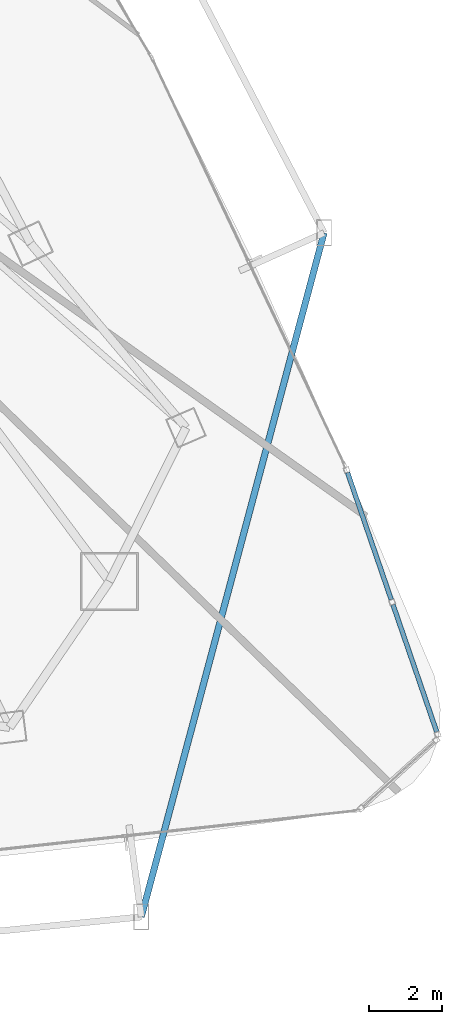
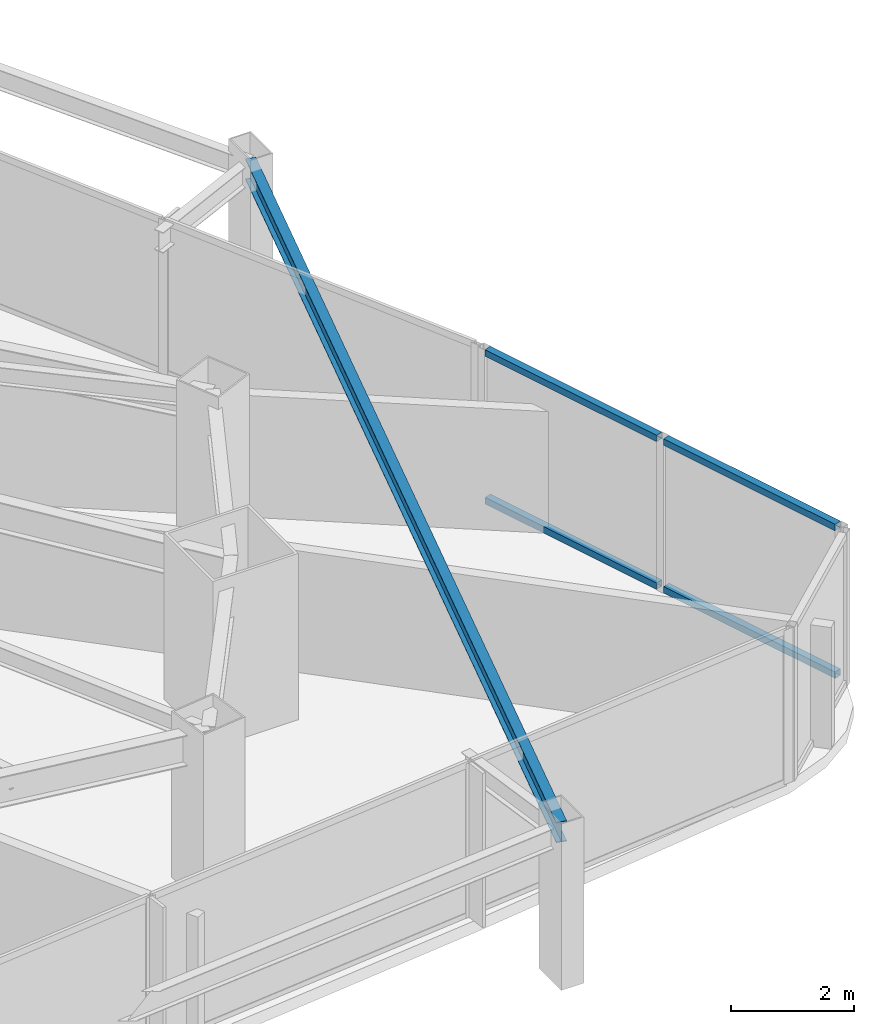
# One storey, part 15 of 34: 4 members, 1 beam, 1 element without a shape of its own.
"""IFC4 building model written with IfcOpenShell, lengths in metres."""

import ifcopenshell
import ifcopenshell.guid

model = None  # the IFC model being written
_history = None  # IfcOwnerHistory: only IFC2X3 demands one
_inside = {}  # id of a spatial element -> (the spatial element, [elements in it])
_under = {}  # id of a project, library or spatial element -> (it, [spatial elements below it])
_declared = {}  # id of a project -> (the project, [libraries it declares])
_typed = {}  # id of a type object -> (the type object, [elements of that type])
_made_of = {}  # id of a material, layer set ... -> (it, [elements and type objects made of it])


def new_model(schema):
    """Start an empty IFC model of exactly this schema.

    Asked for "IFC4X3", IfcOpenShell would pick the latest addendum, in which some entities
    have other attributes; the version numbers below select the first issue.
    IFC2X3 requires an IfcOwnerHistory on every rooted entity: one is made here for all.
    """
    global model, _history
    if schema == "IFC4X3":
        model = ifcopenshell.file(schema_version=(4, 3, 0, 0))
    else:
        model = ifcopenshell.file(schema=schema)
    _inside.clear()
    _under.clear()
    _declared.clear()
    _typed.clear()
    _made_of.clear()
    _history = None
    if model.schema == "IFC2X3":
        org = make("IfcOrganization", Name="unknown")
        user = make(
            "IfcPersonAndOrganization",
            ThePerson=make("IfcPerson", FamilyName="unknown"),
            TheOrganization=org,
        )
        app = make(
            "IfcApplication",
            ApplicationDeveloper=org,
            Version="unknown",
            ApplicationFullName="unknown",
            ApplicationIdentifier="unknown",
        )
        _history = make(
            "IfcOwnerHistory",
            OwningUser=user,
            OwningApplication=app,
            ChangeAction="ADDED",
            CreationDate=0,
        )
    return model


def make(cls, **values):
    """One entity of the class cls with the attributes given. An attribute that is None is left unset."""
    return model.create_entity(
        cls, **{name: value for name, value in values.items() if value is not None}
    )


def rooted(cls, **values):
    """An entity with a GlobalId (a new one), such as an element, a storey or a relation."""
    return make(cls, GlobalId=ifcopenshell.guid.new(), OwnerHistory=_history, **values)


def si_unit(unit_type, name, prefix=None):
    """IfcSIUnit, for example si_unit("LENGTHUNIT", "METRE", prefix="MILLI")."""
    return make("IfcSIUnit", UnitType=unit_type, Prefix=prefix, Name=name)


def assignment(units):
    """IfcUnitAssignment: the units of a project."""
    return None if units is None else make("IfcUnitAssignment", Units=units)


def point(xyz):
    """IfcCartesianPoint."""
    return None if xyz is None else make("IfcCartesianPoint", Coordinates=xyz)


def direction(xyz):
    """IfcDirection."""
    return None if xyz is None else make("IfcDirection", DirectionRatios=xyz)


def frame(location, z_axis=None, x_axis=None):
    """IfcAxis2Placement3D, a coordinate frame: its origin and axes. An axis left out is left unset."""
    return make(
        "IfcAxis2Placement3D",
        Location=point(location),
        Axis=direction(z_axis),
        RefDirection=direction(x_axis),
    )


def frame_2d(location, x_axis=None):
    """IfcAxis2Placement2D, a coordinate frame in the plane: its origin and x axis."""
    return make(
        "IfcAxis2Placement2D", Location=point(location), RefDirection=direction(x_axis)
    )


def origin():
    """The frame at (0, 0, 0) with its axes left unset."""
    return frame((0.0, 0.0, 0.0))


def origin_2d():
    """The frame at (0, 0) in the plane with its x axis left unset."""
    return frame_2d((0.0, 0.0))


def place(relative_to, where):
    """IfcLocalPlacement: puts the frame where relative to a parent placement (None: the world)."""
    return make(
        "IfcLocalPlacement", PlacementRelTo=relative_to, RelativePlacement=where
    )


def context(
    kind, dimensions, precision=None, world=None, true_north=None, identifier=None
):
    """IfcGeometricRepresentationContext, for example the 3D "Model" context."""
    return make(
        "IfcGeometricRepresentationContext",
        ContextIdentifier=identifier,
        ContextType=kind,
        CoordinateSpaceDimension=dimensions,
        Precision=precision,
        WorldCoordinateSystem=world,
        TrueNorth=true_north,
    )


def subcontext(parent, identifier, kind, view, scale=None):
    """IfcGeometricRepresentationSubContext, for example "Body" below "Model"."""
    return make(
        "IfcGeometricRepresentationSubContext",
        ContextIdentifier=identifier,
        ContextType=kind,
        ParentContext=parent,
        TargetScale=scale,
        TargetView=view,
    )


def project(units=None, contexts=None):
    """IfcProject with its units and contexts."""
    return rooted(
        "IfcProject",
        Name="project",
        RepresentationContexts=contexts,
        UnitsInContext=assignment(units),
    )


def spatial(cls, under=None, at=None, **own):
    """A site, building, storey or space (cls), placed at a placement, below another one or the project."""
    s = rooted(cls, ObjectPlacement=at, **own)
    if under is not None:
        _under.setdefault(under.id(), (under, []))[1].append(s)
    return s


def profile(cls, at=None, kind="AREA", **sizes):
    """A parametric profile (cls). Its sizes go by their IFC names, for example OverallWidth=200.0."""
    return make(cls, ProfileType=kind, Position=at, **sizes)


def hollow_rectangle(**sizes):
    """IfcRectangleHollowProfileDef."""
    return profile("IfcRectangleHollowProfileDef", **sizes)


def i_section(**sizes):
    """IfcIShapeProfileDef."""
    return profile("IfcIShapeProfileDef", **sizes)


def extrude(swept, where, along, depth):
    """IfcExtrudedAreaSolid: the profile swept, set in the frame where, extruded along a direction by depth."""
    return make(
        "IfcExtrudedAreaSolid",
        SweptArea=swept,
        Position=where,
        ExtrudedDirection=direction(along),
        Depth=depth,
    )


def shape(context_of_items, identifier, shape_type, items):
    """IfcShapeRepresentation: the items that make up one representation, for example the "Body"."""
    return make(
        "IfcShapeRepresentation",
        ContextOfItems=context_of_items,
        RepresentationIdentifier=identifier,
        RepresentationType=shape_type,
        Items=items,
    )


def material(Name=None, Category=None):
    """IfcMaterial."""
    return make("IfcMaterial", Name=Name, Category=Category)


def layer(
    of_material, thickness, ventilated=None, Name=None, Category=None, Priority=None
):
    """IfcMaterialLayer: one layer of a wall or slab, of a material (None: an air gap)."""
    return make(
        "IfcMaterialLayer",
        Material=of_material,
        LayerThickness=thickness,
        IsVentilated=ventilated,
        Name=Name,
        Category=Category,
        Priority=Priority,
    )


def layer_set(layers, Name=None):
    """IfcMaterialLayerSet."""
    return make("IfcMaterialLayerSet", MaterialLayers=layers, LayerSetName=Name)


def material_profile(
    of_material, cross_section, Name=None, Category=None, Priority=None
):
    """IfcMaterialProfile: a cross section and its material."""
    return make(
        "IfcMaterialProfile",
        Name=Name,
        Material=of_material,
        Profile=cross_section,
        Priority=Priority,
        Category=Category,
    )


def profile_set(profiles, Name=None, composite=None):
    """IfcMaterialProfileSet."""
    return make(
        "IfcMaterialProfileSet",
        Name=Name,
        MaterialProfiles=profiles,
        CompositeProfile=composite,
    )


def made_of(thing, what):
    """Note that an element or type object is made of a material, layer set ...; save() writes the relation."""
    if what is not None:
        _made_of.setdefault(what.id(), (what, []))[1].append(thing)
    return thing


def type_object(cls, material=None, **own):
    """A type object (cls), such as IfcWallType, which elements share."""
    return made_of(rooted(cls, **own), material)


def element(
    cls,
    number,
    at=None,
    inside=None,
    cuts=None,
    type_object=None,
    material=None,
    context=None,
    identifier="Body",
    shape_type=None,
    held_by="IfcProductDefinitionShape",
    body=None,
    shapes=None,
    **own,
):
    """One element of the class cls, such as IfcWall. Its Tag is "e" and its number.

    at: its placement. inside: the storey or other place that contains it. cuts: it is an
    opening in that element (IfcRelVoidsElement). A single representation is given by context,
    identifier, shape_type and body (its items); several are given by shapes. held_by: the class
    of the entity that holds the representations. save() writes the other relations.
    """
    e = rooted(cls, Tag="e%d" % number, ObjectPlacement=at, **own)
    if body is not None:
        shapes = [shape(context, identifier, shape_type, body)]
    if shapes is not None:
        e.Representation = make(held_by, Representations=shapes)
    if inside is not None:
        _inside.setdefault(inside.id(), (inside, []))[1].append(e)
    if cuts is not None:
        rooted(
            "IfcRelVoidsElement", RelatingBuildingElement=cuts, RelatedOpeningElement=e
        )
    if type_object is not None:
        _typed.setdefault(type_object.id(), (type_object, []))[1].append(e)
    return made_of(e, material)


def aggregate(whole, parts):
    """IfcRelAggregates: a whole, such as a stair, and the parts it consists of."""
    return rooted("IfcRelAggregates", RelatingObject=whole, RelatedObjects=parts)


def save(model, path):
    """Write the relations noted so far, then the file.

    IfcRelAggregates (storeys below a building ...), IfcRelContainedInSpatialStructure (elements
    in a storey), IfcRelDefinesByType, IfcRelAssociatesMaterial and IfcRelDeclares: one each for
    every whole, place, type object, material and project.
    """
    for whole, parts in _under.values():
        aggregate(whole, parts)
    for where, things in _inside.values():
        rooted(
            "IfcRelContainedInSpatialStructure",
            RelatedElements=things,
            RelatingStructure=where,
        )
    for kind, things in _typed.values():
        rooted("IfcRelDefinesByType", RelatedObjects=things, RelatingType=kind)
    for what, things in _made_of.values():
        rooted("IfcRelAssociatesMaterial", RelatedObjects=things, RelatingMaterial=what)
    for by, libraries in _declared.values():
        rooted("IfcRelDeclares", RelatingContext=by, RelatedDefinitions=libraries)
    model.write(path)


model = new_model("IFC4")

# Units and contexts
model_context = context("Model", 3, precision=1e-05, world=origin(), true_north=direction((0.0, 1.0)))
body_context = subcontext(model_context, "Body", "Model", "MODEL_VIEW")
ifc_project = project(units=[si_unit("LENGTHUNIT", "METRE"), si_unit("AREAUNIT", "SQUARE_METRE"), si_unit("VOLUMEUNIT", "CUBIC_METRE"), si_unit("PLANEANGLEUNIT", "RADIAN"), si_unit("MASSUNIT", "GRAM", prefix="KILO")], contexts=[model_context])

# Site, building, storey
site_placement = place(None, origin())
site = spatial("IfcSite", under=ifc_project, at=site_placement, CompositionType="ELEMENT")
building_placement = place(site_placement, origin())
building = spatial("IfcBuilding", under=site, at=building_placement, Name="Orvanel Arch Residences", CompositionType="ELEMENT")
storey_placement = place(building_placement, frame((0.0, 0.0, 67.550048828125)))
storey = spatial("IfcBuildingStorey", under=building, at=storey_placement, Name="L18", CompositionType="ELEMENT", Elevation=67.550048828125)

# Beam
ifc_material_1 = material(Name="Structural steel AS/NZS 3679.1 Grade 300 (300 MPa)", Category="steel")
ifc_material_profile_1 = material_profile(ifc_material_1, i_section(OverallWidth=0.177978515625, OverallDepth=0.406005859375, WebThickness=0.0078125, FlangeThickness=0.0126953125, at=origin_2d()), Name="410UB59.7")
ifc_profile_set_1 = profile_set([ifc_material_profile_1], Name="Structural steel AS/NZS 3679.1 Grade 300 (300 MPa)")
beam_type = type_object("IfcBeamType", Name="OB-410UB-EXT", PredefinedType="SPANDREL", material=ifc_profile_set_1)
beam_placement = place(storey_placement, frame((52.677978515625, 1.12890625, 2.85693359375), z_axis=(0.258088761653, 0.966121209325, 0.0), x_axis=(-0.966121209325, 0.258088761653, 0.0)))
element("IfcBeam", 1, at=beam_placement, inside=storey, type_object=beam_type, Name="L18 Outer Perimeter Floor Ring Beam 08", PredefinedType="SPANDREL", context=body_context, shape_type="SweptSolid", body=[
    extrude(i_section(OverallWidth=0.177978515625, OverallDepth=0.406005859375, WebThickness=0.0078125, FlangeThickness=0.0126953125, at=origin_2d()), origin(), (0.0, 0.0, 1.0), 19.4697265625),
])

# Curtain wall, members
ifc_material_2 = material(Name="Bronze-anodised aluminium AA6063-T6", Category="aluminium")
ifc_layer = layer(ifc_material_2, 0.18994140625)
ifc_layer_set = layer_set([ifc_layer], Name="Bronze-anodised aluminium AA6063-T6")
curtain_wall_type = type_object("IfcCurtainWallType", Name="CW5-CRN-SYS", PredefinedType="NOTDEFINED", material=ifc_layer_set)
curtain_wall_placement = place(storey_placement, origin())
curtain_wall = element("IfcCurtainWall", 2, at=curtain_wall_placement, inside=storey, type_object=curtain_wall_type, Name="L18 CW5-CRN-SYS Unitised Curtain Wall", PredefinedType="NOTDEFINED")
ifc_material_profile_2 = material_profile(ifc_material_2, hollow_rectangle(XDim=0.1298828125, YDim=0.1298828125, WallThickness=0.00439453125, at=origin_2d()), Name="ALU130x130x4.5")
ifc_profile_set_2 = profile_set([ifc_material_profile_2], Name="Bronze-anodised aluminium AA6063-T6")
member_type = type_object("IfcMemberType", Name="TRN-130x130", PredefinedType="USERDEFINED", material=ifc_profile_set_2)
member_1_placement = place(storey_placement, frame((60.80126953125, 6.2158203125, 0.06494140625), z_axis=(-0.325170219717, 0.945655501866, 0.0), x_axis=(-0.945655501866, -0.325170219717, 0.0)))
member_1 = element("IfcMember", 3, at=member_1_placement, type_object=member_type, Name="CW-S5 transom 1.1", ObjectType="TRANSOM", PredefinedType="USERDEFINED", context=body_context, shape_type="SweptSolid", body=[
    extrude(hollow_rectangle(XDim=0.1298828125, YDim=0.1298828125, WallThickness=0.00439453125, at=origin_2d()), origin(), (0.0, 0.0, 1.0), 3.6962890625),
])
member_2_placement = place(storey_placement, frame((60.80126953125, 6.2158203125, 2.994873046875), z_axis=(-0.325170219717, 0.945655501866, 0.0), x_axis=(-0.945655501866, -0.325170219717, 0.0)))
member_2 = element("IfcMember", 4, at=member_2_placement, type_object=member_type, Name="CW-S5 transom 1.2", ObjectType="TRANSOM", PredefinedType="USERDEFINED", context=body_context, shape_type="SweptSolid", body=[
    extrude(hollow_rectangle(XDim=0.1298828125, YDim=0.1298828125, WallThickness=0.00439453125, at=origin_2d()), origin(), (0.0, 0.0, 1.0), 3.6962890625),
])
member_3_placement = place(storey_placement, frame((59.550537109375, 9.85302734375, 0.06494140625), z_axis=(-0.325131459617, 0.945668828907, 0.0), x_axis=(-0.945668828907, -0.325131459617, 0.0)))
member_3 = element("IfcMember", 5, at=member_3_placement, type_object=member_type, Name="CW-S5 transom 2.1", ObjectType="TRANSOM", PredefinedType="USERDEFINED", context=body_context, shape_type="SweptSolid", body=[
    extrude(hollow_rectangle(XDim=0.1298828125, YDim=0.1298828125, WallThickness=0.00439453125, at=origin_2d()), origin(), (0.0, 0.0, 1.0), 3.69580078125),
])
member_4_placement = place(storey_placement, frame((59.550537109375, 9.85302734375, 2.994873046875), z_axis=(-0.325131459617, 0.945668828907, 0.0), x_axis=(-0.945668828907, -0.325131459617, 0.0)))
member_4 = element("IfcMember", 6, at=member_4_placement, type_object=member_type, Name="CW-S5 transom 2.2", ObjectType="TRANSOM", PredefinedType="USERDEFINED", context=body_context, shape_type="SweptSolid", body=[
    extrude(hollow_rectangle(XDim=0.1298828125, YDim=0.1298828125, WallThickness=0.00439453125, at=origin_2d()), origin(), (0.0, 0.0, 1.0), 3.69580078125),
])
aggregate(curtain_wall, [member_1, member_2, member_3, member_4])

save(model, "model.ifc")
